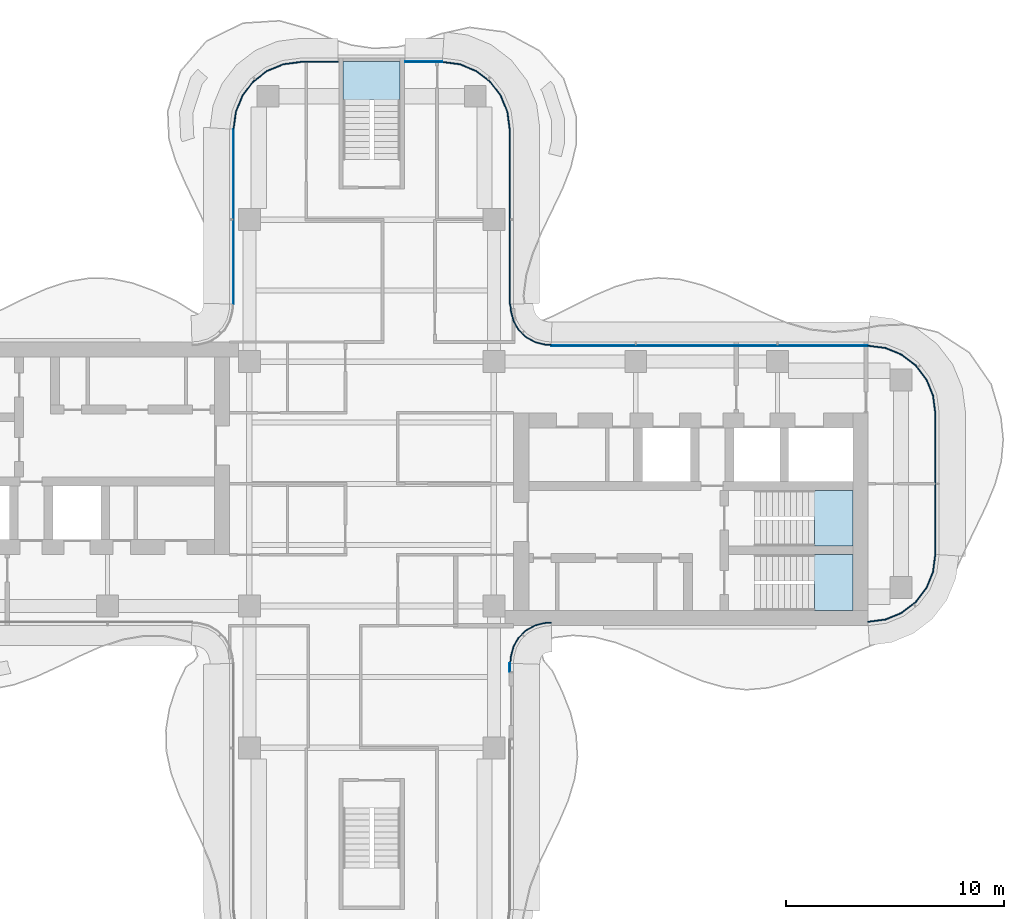
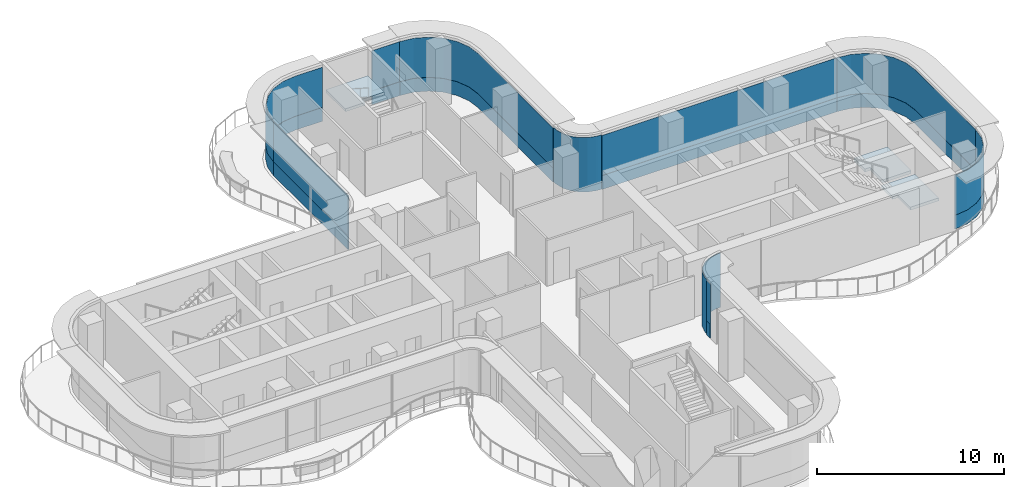
# One storey, part 10 of 16: 18 plates, 3 slabs, 13 elements without a shape of their own.
"""IFC4 building model written with IfcOpenShell, lengths in metres."""

from ifc_helpers import new_model, si_unit, direction, frame, origin, place, context, subcontext, project, spatial, polyline, outline, extrude, source, transform, mapped, material, layer, layer_set, type_object, element, aggregate, save


model = new_model("IFC4")

# Units and contexts
model_context = context("Model", 3, precision=1e-05, world=origin(), true_north=direction((0.0, 1.0)))
body_context = subcontext(model_context, "Body", "Model", "MODEL_VIEW")
ifc_project = project(units=[si_unit("LENGTHUNIT", "METRE"), si_unit("AREAUNIT", "SQUARE_METRE"), si_unit("VOLUMEUNIT", "CUBIC_METRE"), si_unit("PLANEANGLEUNIT", "RADIAN"), si_unit("MASSUNIT", "GRAM", prefix="KILO")], contexts=[model_context])

# Site, building, storey
site_placement = place(None, origin())
site = spatial("IfcSite", under=ifc_project, at=site_placement, CompositionType="ELEMENT")
building_placement = place(site_placement, origin())
building = spatial("IfcBuilding", under=site, at=building_placement, Name="Trellis Farm Tower", CompositionType="ELEMENT")
storey_placement = place(building_placement, frame((0.0, 0.0, 314.5)))
storey = spatial("IfcBuildingStorey", under=building, at=storey_placement, Name="L71", CompositionType="ELEMENT", Elevation=314.5)

# Stair, slab
ifc_material_1 = material(Name="Concrete C50/60", Category="concrete")
stair_type = type_object("IfcStairType", Name="CORE EXIT STAIR 22 RISERS 177 MM", PredefinedType="HALF_TURN_STAIR", material=ifc_material_1)
placement_1 = place(storey_placement, origin())
stair_1 = element("IfcStair", 1, at=placement_1, inside=storey, type_object=stair_type, Name="Exit stair N", PredefinedType="HALF_TURN_STAIR")
ifc_layer_1 = layer(ifc_material_1, 0.18994140625)
ifc_layer_set_1 = layer_set([ifc_layer_1], Name="CORE STAIR LANDING 190 CONCRETE C50/60")
slab_type = type_object("IfcSlabType", Name="CORE STAIR LANDING 190 CONCRETE C50/60", PredefinedType="LANDING", material=ifc_layer_set_1)
shared_shape_1 = source(origin(), body_context, "Body", "SweptSolid", [
    extrude(outline(polyline([(-0.10009765625, 17.27197265625), (-1.300048828125, 17.27197265625), (-1.300048828125, 17.60009765625), (-1.300048828125, 19.35009765625), (1.300048828125, 19.35009765625), (1.300048828125, 17.60009765625), (1.300048828125, 17.590087890625), (0.10009765625, 17.590087890625), (0.10009765625, 17.60009765625), (-0.10009765625, 17.60009765625), (-0.10009765625, 17.27197265625)])), origin(), (0.0, 0.0, 1.0), 0.18994140625),
])
placement_2 = place(storey_placement, frame((0.0, 0.0, 1.760009765625)))
slab_1 = element("IfcSlab", 2, at=placement_2, type_object=slab_type, Name="STN landing 1", PredefinedType="LANDING", context=body_context, shape_type="MappedRepresentation", body=[
    mapped(shared_shape_1, transform((0.0, 0.0, 0.0))),
])
aggregate(stair_1, [slab_1])

stair_2 = element("IfcStair", 3, at=placement_1, inside=storey, type_object=stair_type, Name="Exit stair E1", PredefinedType="HALF_TURN_STAIR")
shared_shape_2 = source(origin(), body_context, "Body", "SweptSolid", [
    extrude(outline(polyline([(20.2900390625, -5.800048828125), (20.2900390625, -4.60009765625), (20.300048828125, -4.60009765625), (20.300048828125, -4.449951171875), (19.971923828125, -4.449951171875), (19.971923828125, -3.25), (20.300048828125, -3.25), (22.050048828125, -3.25), (22.050048828125, -5.800048828125), (20.300048828125, -5.800048828125), (20.2900390625, -5.800048828125)])), origin(), (0.0, 0.0, 1.0), 0.18994140625),
])
slab_2 = element("IfcSlab", 4, at=placement_2, type_object=slab_type, Name="STE1 landing 1", PredefinedType="LANDING", context=body_context, shape_type="MappedRepresentation", body=[
    mapped(shared_shape_2, transform((0.0, 0.0, 0.0))),
])
aggregate(stair_2, [slab_2])

stair_3 = element("IfcStair", 5, at=placement_1, inside=storey, type_object=stair_type, Name="Exit stair E2", PredefinedType="HALF_TURN_STAIR")
shared_shape_3 = source(origin(), body_context, "Body", "SweptSolid", [
    extrude(outline(polyline([(20.2900390625, -2.85009765625), (20.2900390625, -1.64990234375), (20.300048828125, -1.64990234375), (20.300048828125, -1.5), (19.971923828125, -1.5), (19.971923828125, -0.300048828125), (20.300048828125, -0.300048828125), (22.050048828125, -0.300048828125), (22.050048828125, -2.85009765625), (20.300048828125, -2.85009765625), (20.2900390625, -2.85009765625)])), origin(), (0.0, 0.0, 1.0), 0.18994140625),
])
slab_3 = element("IfcSlab", 6, at=placement_2, type_object=slab_type, Name="STE2 landing 1", PredefinedType="LANDING", context=body_context, shape_type="MappedRepresentation", body=[
    mapped(shared_shape_3, transform((0.0, 0.0, 0.0))),
])
aggregate(stair_3, [slab_3])

# Curtain wall, plate
ifc_material_2 = material(Name="Aluminium and glass curtain wall", Category="aluminium")
ifc_layer_2 = layer(ifc_material_2, 0.18994140625)
ifc_layer_set_2 = layer_set([ifc_layer_2], Name="RIBBON CURTAIN WALL CW1")
curtain_wall_type_1 = type_object("IfcCurtainWallType", Name="RIBBON CURTAIN WALL CW1", PredefinedType="NOTDEFINED", material=ifc_layer_set_2)
curtain_wall_1 = element("IfcCurtainWall", 7, at=placement_1, inside=storey, type_object=curtain_wall_type_1, Name="CW1 005", PredefinedType="NOTDEFINED")
ifc_material_3 = material(Name="Sandstone faced insulated panel", Category="masonry")
ifc_layer_3 = layer(ifc_material_3, 0.050048828125)
ifc_layer_set_3 = layer_set([ifc_layer_3], Name="CW1 STONE SPANDREL PANEL 50")
plate_type_1 = type_object("IfcPlateType", Name="CW1 STONE SPANDREL PANEL 50", PredefinedType="CURTAIN_PANEL", material=ifc_layer_set_3)
shared_shape_4 = source(origin(), body_context, "Body", "SweptSolid", [
    extrude(outline(polyline([(6.35009765625, -8.605712890625), (6.35009765625, -8.2265625), (6.300048828125, -8.224853515625), (6.300048828125, -8.605712890625), (6.35009765625, -8.605712890625)])), origin(), (0.0, 0.0, 1.0), 0.89990234375),
])
plate_1 = element("IfcPlate", 8, at=placement_1, type_object=plate_type_1, Name="PS1 005", PredefinedType="CURTAIN_PANEL", context=body_context, shape_type="MappedRepresentation", body=[
    mapped(shared_shape_4, transform((0.0, 0.0, 0.0))),
])

ifc_layer_4 = layer(ifc_material_2, 0.166015625)
ifc_layer_set_4 = layer_set([ifc_layer_4], Name="WINTER GARDEN CURTAIN WALL CW3")
curtain_wall_type_2 = type_object("IfcCurtainWallType", Name="WINTER GARDEN CURTAIN WALL CW3", PredefinedType="NOTDEFINED", material=ifc_layer_set_4)
curtain_wall_2 = element("IfcCurtainWall", 9, at=placement_1, inside=storey, type_object=curtain_wall_type_2, Name="CW3 002", PredefinedType="NOTDEFINED")
ifc_material_4 = material(Name="Clear insulated glass", Category="glass")
ifc_layer_5 = layer(ifc_material_4, 0.0458984375)
ifc_layer_set_5 = layer_set([ifc_layer_5], Name="CW3 GLASS PANEL 46")
plate_type_2 = type_object("IfcPlateType", Name="CW3 GLASS PANEL 46", PredefinedType="CURTAIN_PANEL", material=ifc_layer_set_5)
shared_shape_5 = source(origin(), body_context, "Body", "SweptSolid", [
    extrude(outline(polyline([(6.3798828125, -8.2275390625), (6.394287109375, -8.0078125), (6.40966796875, -7.89208984375), (6.52490234375, -7.462158203125), (6.7509765625, -7.070556640625), (7.070556640625, -6.7509765625), (7.462158203125, -6.52490234375), (7.89208984375, -6.40966796875), (8.0078125, -6.394287109375), (8.2275390625, -6.3798828125), (8.22607421875, -6.333984375), (8.003173828125, -6.3486328125), (7.883056640625, -6.364501953125), (7.4443359375, -6.48193359375), (7.04248046875, -6.714111328125), (6.714111328125, -7.04248046875), (6.48193359375, -7.4443359375), (6.364501953125, -7.883056640625), (6.3486328125, -8.003173828125), (6.333984375, -8.22607421875), (6.3798828125, -8.2275390625)])), origin(), (0.0, 0.0, 1.0), 3.550048828125),
])
plate_2 = element("IfcPlate", 10, at=placement_1, type_object=plate_type_2, Name="PL3 002", PredefinedType="CURTAIN_PANEL", context=body_context, shape_type="MappedRepresentation", body=[
    mapped(shared_shape_5, transform((0.0, 0.0, 0.0))),
])
aggregate(curtain_wall_2, [plate_2])

curtain_wall_3 = element("IfcCurtainWall", 11, at=placement_1, inside=storey, type_object=curtain_wall_type_2, Name="CW3 003", PredefinedType="NOTDEFINED")
shared_shape_6 = source(origin(), body_context, "Body", "SweptSolid", [
    extrude(outline(polyline([(8.2275390625, 6.3798828125), (8.0078125, 6.394287109375), (7.89208984375, 6.40966796875), (7.462158203125, 6.52490234375), (7.070556640625, 6.7509765625), (6.7509765625, 7.070556640625), (6.52490234375, 7.462158203125), (6.40966796875, 7.89208984375), (6.394287109375, 8.0078125), (6.3798828125, 8.2275390625), (6.333984375, 8.22607421875), (6.3486328125, 8.003173828125), (6.364501953125, 7.883056640625), (6.48193359375, 7.4443359375), (6.714111328125, 7.04248046875), (7.04248046875, 6.714111328125), (7.4443359375, 6.48193359375), (7.883056640625, 6.364501953125), (8.003173828125, 6.3486328125), (8.22607421875, 6.333984375), (8.2275390625, 6.3798828125)])), origin(), (0.0, 0.0, 1.0), 3.550048828125),
])
plate_3 = element("IfcPlate", 12, at=placement_1, type_object=plate_type_2, Name="PL3 003", PredefinedType="CURTAIN_PANEL", context=body_context, shape_type="MappedRepresentation", body=[
    mapped(shared_shape_6, transform((0.0, 0.0, 0.0))),
])
aggregate(curtain_wall_3, [plate_3])

# Curtain wall, plates
curtain_wall_4 = element("IfcCurtainWall", 13, at=placement_1, inside=storey, type_object=curtain_wall_type_1, Name="CW1 006", PredefinedType="NOTDEFINED")
ifc_layer_6 = layer(ifc_material_4, 0.0400390625)
ifc_layer_set_6 = layer_set([ifc_layer_6], Name="CW1 GLASS PANEL 40")
plate_type_3 = type_object("IfcPlateType", Name="CW1 GLASS PANEL 40", PredefinedType="CURTAIN_PANEL", material=ifc_layer_set_6)
shared_shape_7 = source(origin(), body_context, "Body", "SweptSolid", [
    extrude(outline(polyline([(22.740234375, -6.35009765625), (23.552001953125, -6.2431640625), (24.29931640625, -5.93359375), (24.941162109375, -5.441162109375), (25.43359375, -4.79931640625), (25.7431640625, -4.052001953125), (25.85009765625, -3.240234375), (25.81005859375, -3.237548828125), (25.7041015625, -4.04150390625), (25.398681640625, -4.779296875), (24.91259765625, -5.41259765625), (24.279296875, -5.898681640625), (23.54150390625, -6.2041015625), (22.737548828125, -6.31005859375), (22.740234375, -6.35009765625)])), origin(), (0.0, 0.0, 1.0), 2.6201171875),
])
placement_3 = place(storey_placement, frame((0.0, 0.0, 0.89990234375)))
plate_4 = element("IfcPlate", 14, at=placement_3, type_object=plate_type_3, Name="PL1 006", PredefinedType="CURTAIN_PANEL", context=body_context, shape_type="MappedRepresentation", body=[
    mapped(shared_shape_7, transform((0.0, 0.0, 0.0))),
])
shared_shape_8 = source(origin(), body_context, "Body", "SweptSolid", [
    extrude(outline(polyline([(22.740234375, -6.35009765625), (23.552001953125, -6.2431640625), (24.29931640625, -5.93359375), (24.941162109375, -5.441162109375), (25.43359375, -4.79931640625), (25.7431640625, -4.052001953125), (25.85009765625, -3.240234375), (25.800048828125, -3.23681640625), (25.6943359375, -4.0390625), (25.389892578125, -4.774169921875), (24.905517578125, -5.405517578125), (24.274169921875, -5.889892578125), (23.5390625, -6.1943359375), (22.73681640625, -6.300048828125), (22.740234375, -6.35009765625)])), origin(), (0.0, 0.0, 1.0), 0.89990234375),
])
plate_5 = element("IfcPlate", 15, at=placement_1, type_object=plate_type_1, Name="PS1 006", PredefinedType="CURTAIN_PANEL", context=body_context, shape_type="MappedRepresentation", body=[
    mapped(shared_shape_8, transform((0.0, 0.0, 0.0))),
])
aggregate(curtain_wall_4, [plate_4, plate_5])

curtain_wall_5 = element("IfcCurtainWall", 16, at=placement_1, inside=storey, type_object=curtain_wall_type_1, Name="CW1 007", PredefinedType="NOTDEFINED")
shared_shape_9 = source(origin(), body_context, "Body", "SweptSolid", [
    extrude(outline(polyline([(25.85009765625, -3.240234375), (25.85009765625, 3.240234375), (25.7431640625, 4.052001953125), (25.43359375, 4.79931640625), (24.941162109375, 5.441162109375), (24.29931640625, 5.93359375), (23.552001953125, 6.2431640625), (22.740234375, 6.35009765625), (22.737548828125, 6.31005859375), (23.54150390625, 6.2041015625), (24.279296875, 5.898681640625), (24.91259765625, 5.41259765625), (25.398681640625, 4.779296875), (25.7041015625, 4.04150390625), (25.81005859375, 3.237548828125), (25.81005859375, -3.237548828125), (25.85009765625, -3.240234375)])), origin(), (0.0, 0.0, 1.0), 2.6201171875),
])
plate_6 = element("IfcPlate", 17, at=placement_3, type_object=plate_type_3, Name="PL1 007", PredefinedType="CURTAIN_PANEL", context=body_context, shape_type="MappedRepresentation", body=[
    mapped(shared_shape_9, transform((0.0, 0.0, 0.0))),
])
shared_shape_10 = source(origin(), body_context, "Body", "SweptSolid", [
    extrude(outline(polyline([(25.85009765625, -3.240234375), (25.85009765625, 3.240234375), (25.7431640625, 4.052001953125), (25.43359375, 4.79931640625), (24.941162109375, 5.441162109375), (24.29931640625, 5.93359375), (23.552001953125, 6.2431640625), (22.740234375, 6.35009765625), (22.73681640625, 6.300048828125), (23.5390625, 6.1943359375), (24.274169921875, 5.889892578125), (24.905517578125, 5.405517578125), (25.389892578125, 4.774169921875), (25.6943359375, 4.0390625), (25.800048828125, 3.23681640625), (25.800048828125, -3.23681640625), (25.85009765625, -3.240234375)])), origin(), (0.0, 0.0, 1.0), 0.89990234375),
])
plate_7 = element("IfcPlate", 18, at=placement_1, type_object=plate_type_1, Name="PS1 007", PredefinedType="CURTAIN_PANEL", context=body_context, shape_type="MappedRepresentation", body=[
    mapped(shared_shape_10, transform((0.0, 0.0, 0.0))),
])
aggregate(curtain_wall_5, [plate_6, plate_7])

curtain_wall_6 = element("IfcCurtainWall", 19, at=placement_1, inside=storey, type_object=curtain_wall_type_1, Name="CW1 008", PredefinedType="NOTDEFINED")
shared_shape_11 = source(origin(), body_context, "Body", "SweptSolid", [
    extrude(outline(polyline([(22.740234375, 6.35009765625), (8.2265625, 6.35009765625), (8.22509765625, 6.31005859375), (22.737548828125, 6.31005859375), (22.740234375, 6.35009765625)])), origin(), (0.0, 0.0, 1.0), 2.6201171875),
])
plate_8 = element("IfcPlate", 20, at=placement_3, type_object=plate_type_3, Name="PL1 008", PredefinedType="CURTAIN_PANEL", context=body_context, shape_type="MappedRepresentation", body=[
    mapped(shared_shape_11, transform((0.0, 0.0, 0.0))),
])
shared_shape_12 = source(origin(), body_context, "Body", "SweptSolid", [
    extrude(outline(polyline([(22.740234375, 6.35009765625), (8.2265625, 6.35009765625), (8.224853515625, 6.300048828125), (22.73681640625, 6.300048828125), (22.740234375, 6.35009765625)])), origin(), (0.0, 0.0, 1.0), 0.89990234375),
])
plate_9 = element("IfcPlate", 21, at=placement_1, type_object=plate_type_1, Name="PS1 008", PredefinedType="CURTAIN_PANEL", context=body_context, shape_type="MappedRepresentation", body=[
    mapped(shared_shape_12, transform((0.0, 0.0, 0.0))),
])
aggregate(curtain_wall_6, [plate_8, plate_9])

# Plate
shared_shape_13 = source(origin(), body_context, "Body", "SweptSolid", [
    extrude(outline(polyline([(6.35009765625, -8.605712890625), (6.35009765625, -8.2265625), (6.31005859375, -8.22509765625), (6.31005859375, -8.605712890625), (6.35009765625, -8.605712890625)])), origin(), (0.0, 0.0, 1.0), 2.6201171875),
])
plate_10 = element("IfcPlate", 22, at=placement_3, type_object=plate_type_3, Name="PL1 005", PredefinedType="CURTAIN_PANEL", context=body_context, shape_type="MappedRepresentation", body=[
    mapped(shared_shape_13, transform((0.0, 0.0, 0.0))),
])

aggregate(curtain_wall_1, [plate_10, plate_1])

# Curtain wall, plates
curtain_wall_7 = element("IfcCurtainWall", 23, at=placement_1, inside=storey, type_object=curtain_wall_type_1, Name="CW1 009", PredefinedType="NOTDEFINED")
shared_shape_14 = source(origin(), body_context, "Body", "SweptSolid", [
    extrude(outline(polyline([(6.35009765625, 8.2265625), (6.35009765625, 16.240234375), (6.2431640625, 17.052001953125), (5.93359375, 17.79931640625), (5.441162109375, 18.441162109375), (4.79931640625, 18.93359375), (4.052001953125, 19.2431640625), (3.240234375, 19.35009765625), (3.237548828125, 19.31005859375), (4.04150390625, 19.2041015625), (4.779296875, 18.898681640625), (5.41259765625, 18.41259765625), (5.898681640625, 17.779296875), (6.2041015625, 17.04150390625), (6.31005859375, 16.237548828125), (6.31005859375, 8.22509765625), (6.35009765625, 8.2265625)])), origin(), (0.0, 0.0, 1.0), 2.6201171875),
])
plate_11 = element("IfcPlate", 24, at=placement_3, type_object=plate_type_3, Name="PL1 009", PredefinedType="CURTAIN_PANEL", context=body_context, shape_type="MappedRepresentation", body=[
    mapped(shared_shape_14, transform((0.0, 0.0, 0.0))),
])
shared_shape_15 = source(origin(), body_context, "Body", "SweptSolid", [
    extrude(outline(polyline([(6.35009765625, 8.2265625), (6.35009765625, 16.240234375), (6.2431640625, 17.052001953125), (5.93359375, 17.79931640625), (5.441162109375, 18.441162109375), (4.79931640625, 18.93359375), (4.052001953125, 19.2431640625), (3.240234375, 19.35009765625), (3.23681640625, 19.300048828125), (4.0390625, 19.1943359375), (4.774169921875, 18.889892578125), (5.405517578125, 18.405517578125), (5.889892578125, 17.774169921875), (6.1943359375, 17.0390625), (6.300048828125, 16.23681640625), (6.300048828125, 8.224853515625), (6.35009765625, 8.2265625)])), origin(), (0.0, 0.0, 1.0), 0.89990234375),
])
plate_12 = element("IfcPlate", 25, at=placement_1, type_object=plate_type_1, Name="PS1 009", PredefinedType="CURTAIN_PANEL", context=body_context, shape_type="MappedRepresentation", body=[
    mapped(shared_shape_15, transform((0.0, 0.0, 0.0))),
])
aggregate(curtain_wall_7, [plate_11, plate_12])

curtain_wall_8 = element("IfcCurtainWall", 26, at=placement_1, inside=storey, type_object=curtain_wall_type_1, Name="CW1 010", PredefinedType="NOTDEFINED")
shared_shape_16 = source(origin(), body_context, "Body", "SweptSolid", [
    extrude(outline(polyline([(3.240234375, 19.35009765625), (1.530029296875, 19.35009765625), (1.530029296875, 19.31005859375), (3.237548828125, 19.31005859375), (3.240234375, 19.35009765625)])), origin(), (0.0, 0.0, 1.0), 2.6201171875),
])
plate_13 = element("IfcPlate", 27, at=placement_3, type_object=plate_type_3, Name="PL1 010", PredefinedType="CURTAIN_PANEL", context=body_context, shape_type="MappedRepresentation", body=[
    mapped(shared_shape_16, transform((0.0, 0.0, 0.0))),
])
shared_shape_17 = source(origin(), body_context, "Body", "SweptSolid", [
    extrude(outline(polyline([(3.240234375, 19.35009765625), (1.530029296875, 19.35009765625), (1.530029296875, 19.300048828125), (3.23681640625, 19.300048828125), (3.240234375, 19.35009765625)])), origin(), (0.0, 0.0, 1.0), 0.89990234375),
])
plate_14 = element("IfcPlate", 28, at=placement_1, type_object=plate_type_1, Name="PS1 010", PredefinedType="CURTAIN_PANEL", context=body_context, shape_type="MappedRepresentation", body=[
    mapped(shared_shape_17, transform((0.0, 0.0, 0.0))),
])
aggregate(curtain_wall_8, [plate_13, plate_14])

curtain_wall_9 = element("IfcCurtainWall", 29, at=placement_1, inside=storey, type_object=curtain_wall_type_1, Name="CW1 012", PredefinedType="NOTDEFINED")
shared_shape_18 = source(origin(), body_context, "Body", "SweptSolid", [
    extrude(outline(polyline([(-6.35009765625, 16.240234375), (-6.35009765625, 8.2265625), (-6.31005859375, 8.22509765625), (-6.31005859375, 16.237548828125), (-6.35009765625, 16.240234375)])), origin(), (0.0, 0.0, 1.0), 2.6201171875),
])
plate_15 = element("IfcPlate", 30, at=placement_3, type_object=plate_type_3, Name="PL1 012", PredefinedType="CURTAIN_PANEL", context=body_context, shape_type="MappedRepresentation", body=[
    mapped(shared_shape_18, transform((0.0, 0.0, 0.0))),
])
shared_shape_19 = source(origin(), body_context, "Body", "SweptSolid", [
    extrude(outline(polyline([(-6.35009765625, 16.240234375), (-6.35009765625, 8.2265625), (-6.300048828125, 8.224853515625), (-6.300048828125, 16.23681640625), (-6.35009765625, 16.240234375)])), origin(), (0.0, 0.0, 1.0), 0.89990234375),
])
plate_16 = element("IfcPlate", 31, at=placement_1, type_object=plate_type_1, Name="PS1 012", PredefinedType="CURTAIN_PANEL", context=body_context, shape_type="MappedRepresentation", body=[
    mapped(shared_shape_19, transform((0.0, 0.0, 0.0))),
])
aggregate(curtain_wall_9, [plate_15, plate_16])

curtain_wall_10 = element("IfcCurtainWall", 32, at=placement_1, inside=storey, type_object=curtain_wall_type_1, Name="CW1 011", PredefinedType="NOTDEFINED")
shared_shape_20 = source(origin(), body_context, "Body", "SweptSolid", [
    extrude(outline(polyline([(-1.530029296875, 19.35009765625), (-3.240234375, 19.35009765625), (-4.052001953125, 19.2431640625), (-4.79931640625, 18.93359375), (-5.441162109375, 18.441162109375), (-5.93359375, 17.79931640625), (-6.2431640625, 17.052001953125), (-6.35009765625, 16.240234375), (-6.31005859375, 16.237548828125), (-6.2041015625, 17.04150390625), (-5.898681640625, 17.779296875), (-5.41259765625, 18.41259765625), (-4.779296875, 18.898681640625), (-4.04150390625, 19.2041015625), (-3.237548828125, 19.31005859375), (-1.530029296875, 19.31005859375), (-1.530029296875, 19.35009765625)])), origin(), (0.0, 0.0, 1.0), 2.6201171875),
])
plate_17 = element("IfcPlate", 33, at=placement_3, type_object=plate_type_3, Name="PL1 011", PredefinedType="CURTAIN_PANEL", context=body_context, shape_type="MappedRepresentation", body=[
    mapped(shared_shape_20, transform((0.0, 0.0, 0.0))),
])
shared_shape_21 = source(origin(), body_context, "Body", "SweptSolid", [
    extrude(outline(polyline([(-1.530029296875, 19.35009765625), (-3.240234375, 19.35009765625), (-4.052001953125, 19.2431640625), (-4.79931640625, 18.93359375), (-5.441162109375, 18.441162109375), (-5.93359375, 17.79931640625), (-6.2431640625, 17.052001953125), (-6.35009765625, 16.240234375), (-6.300048828125, 16.23681640625), (-6.1943359375, 17.0390625), (-5.889892578125, 17.774169921875), (-5.405517578125, 18.405517578125), (-4.774169921875, 18.889892578125), (-4.0390625, 19.1943359375), (-3.23681640625, 19.300048828125), (-1.530029296875, 19.300048828125), (-1.530029296875, 19.35009765625)])), origin(), (0.0, 0.0, 1.0), 0.89990234375),
])
plate_18 = element("IfcPlate", 34, at=placement_1, type_object=plate_type_1, Name="PS1 011", PredefinedType="CURTAIN_PANEL", context=body_context, shape_type="MappedRepresentation", body=[
    mapped(shared_shape_21, transform((0.0, 0.0, 0.0))),
])
aggregate(curtain_wall_10, [plate_17, plate_18])

save(model, "model.ifc")
